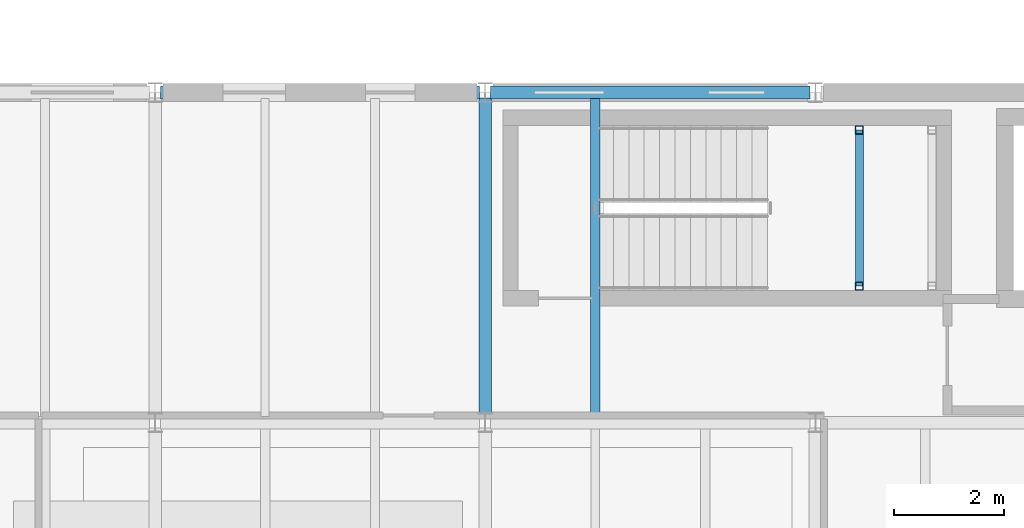
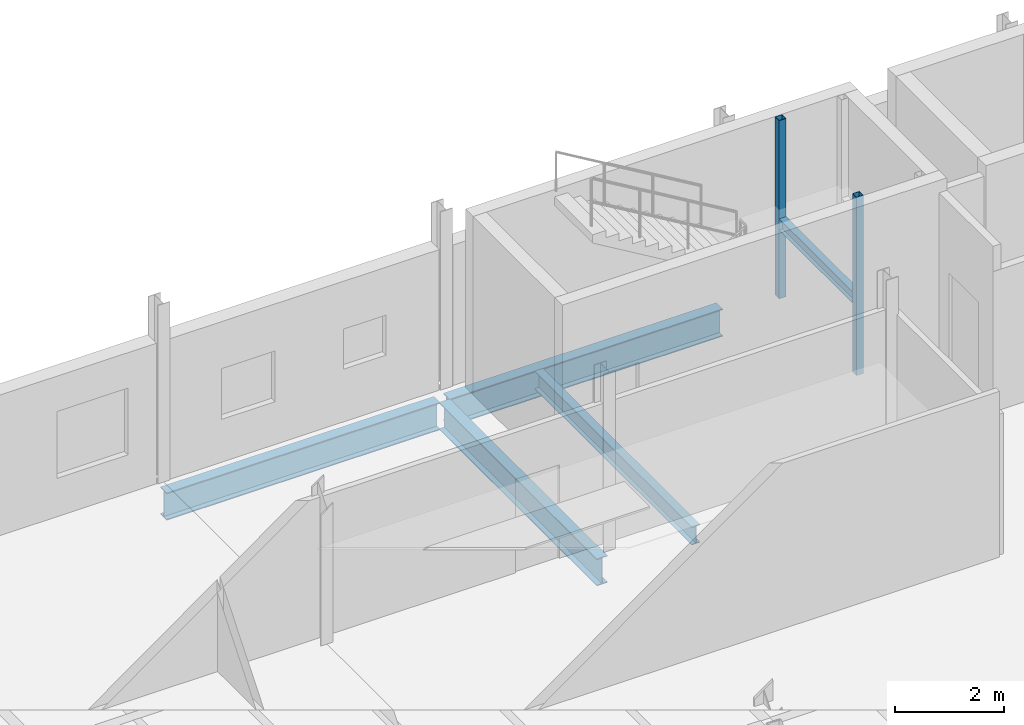
# One storey, part 28 of 92: 5 beams, 2 members.
"""IFC4 building model written with IfcOpenShell, lengths in metres."""

from ifc_helpers import new_model, si_unit, direction, frame, origin, origin_2d, place, context, subcontext, project, spatial, hollow_rectangle, i_section, extrude, material, material_profile, profile_set, type_object, element, save


model = new_model("IFC4")

# Units and contexts
model_context = context("Model", 3, precision=1e-05, world=origin(), true_north=direction((0.0, 1.0)))
body_context = subcontext(model_context, "Body", "Model", "MODEL_VIEW")
ifc_project = project(units=[si_unit("LENGTHUNIT", "METRE"), si_unit("AREAUNIT", "SQUARE_METRE"), si_unit("VOLUMEUNIT", "CUBIC_METRE"), si_unit("PLANEANGLEUNIT", "RADIAN"), si_unit("MASSUNIT", "GRAM", prefix="KILO")], contexts=[model_context])

# Site, building, storey
site_placement = place(None, origin())
site = spatial("IfcSite", under=ifc_project, at=site_placement, CompositionType="ELEMENT")
building_placement = place(site_placement, origin())
building = spatial("IfcBuilding", under=site, at=building_placement, Name="Siltcreek Boulevard Central Fire Station", CompositionType="ELEMENT")
storey_placement = place(building_placement, frame((0.0, 0.0, 6.0)))
storey = spatial("IfcBuildingStorey", under=building, at=storey_placement, Name="L02", CompositionType="ELEMENT", Elevation=6.0)

# Beams
ifc_material_1 = material(Name="Structural steel ASTM A992 Gr50", Category="steel")
ifc_material_profile_1 = material_profile(ifc_material_1, i_section(OverallWidth=0.22802734375, OverallDepth=0.60791015625, WebThickness=0.01123046875, FlangeThickness=0.017333984375, at=origin_2d()), Name="W610X113")
ifc_profile_set_1 = profile_set([ifc_material_profile_1], Name="Structural steel ASTM A992 Gr50")
beam_type_1 = type_object("IfcBeamType", Name="BM_W610X113", PredefinedType="BEAM", material=ifc_profile_set_1)
beam_1_placement = place(storey_placement, frame((90.0, 48.10009765625, -0.6240234375), z_axis=(0.0, 1.0, 0.0), x_axis=(-1.0, 0.0, 0.0)))
element("IfcBeam", 1, at=beam_1_placement, inside=storey, type_object=beam_type_1, Name="L02 primary steel girder GY-0099", PredefinedType="BEAM", context=body_context, shape_type="SweptSolid", body=[
    extrude(i_section(OverallWidth=0.22802734375, OverallDepth=0.60791015625, WebThickness=0.01123046875, FlangeThickness=0.017333984375, at=origin_2d()), origin(), (0.0, 0.0, 1.0), 5.7998046875),
])
ifc_material_profile_2 = material_profile(ifc_material_1, i_section(OverallWidth=0.22998046875, OverallDepth=0.616943359375, WebThickness=0.01318359375, FlangeThickness=0.022216796875, at=origin_2d()), Name="W610X140")
ifc_profile_set_2 = profile_set([ifc_material_profile_2], Name="Structural steel ASTM A992 Gr50")
beam_type_2 = type_object("IfcBeamType", Name="BM_W610X140", PredefinedType="BEAM", material=ifc_profile_set_2)
for number, where, z_axis, x_axis, name in (
    (2, (84.10009765625, 54.0, -0.62841796875), (1.0, 0.0, 0.0), (0.0, 1.0, 0.0), "L02 primary steel girder GX-0089"),
    (3, (90.10009765625, 54.0, -0.62841796875), (1.0, 0.0, 0.0), (0.0, 1.0, 0.0), "L02 primary steel girder GX-0090"),
):
    element("IfcBeam", number, at=place(storey_placement, frame(where, z_axis=z_axis, x_axis=x_axis)), inside=storey, type_object=beam_type_2, Name=name, PredefinedType="BEAM", context=body_context, shape_type="SweptSolid", body=[
        extrude(i_section(OverallWidth=0.22998046875, OverallDepth=0.616943359375, WebThickness=0.01318359375, FlangeThickness=0.022216796875, at=origin_2d()), origin(), (0.0, 0.0, 1.0), 5.7998046875),
    ])

# Members
ifc_material_2 = material(Name="Structural steel ASTM A500 GrC", Category="steel")
ifc_material_profile_3 = material_profile(ifc_material_2, hollow_rectangle(XDim=0.14990234375, YDim=0.14990234375, WallThickness=0.008056640625, at=origin_2d()), Name="HSS150X150X8.0")
ifc_profile_set_3 = profile_set([ifc_material_profile_3], Name="Structural steel ASTM A500 GrC")
member_type = type_object("IfcMemberType", Name="BR_HSS150_8", PredefinedType="BRACE", material=ifc_profile_set_3)
for number, where, z_axis, x_axis, name in (
    (4, (96.800048828125, 50.47998046875, 0.0), (0.0, 0.0, 1.0), (1.0, 0.0, 0.0), "L02 ST-V2A stair landing corner post SW"),
    (5, (96.800048828125, 53.320068359375, 0.0), (0.0, 0.0, 1.0), (1.0, 0.0, 0.0), "L02 ST-V2A stair landing corner post NW"),
):
    element("IfcMember", number, at=place(storey_placement, frame(where, z_axis=z_axis, x_axis=x_axis)), inside=storey, type_object=member_type, Name=name, PredefinedType="BRACE", context=body_context, shape_type="SweptSolid", body=[
        extrude(hollow_rectangle(XDim=0.14990234375, YDim=0.14990234375, WallThickness=0.008056640625, at=origin_2d()), origin(), (0.0, 0.0, 1.0), 4.0),
    ])

# Beams
ifc_material_profile_4 = material_profile(ifc_material_1, i_section(OverallWidth=0.14697265625, OverallDepth=0.261962890625, WebThickness=0.006591796875, FlangeThickness=0.01123046875, at=origin_2d()), Name="W250X39")
ifc_profile_set_4 = profile_set([ifc_material_profile_4], Name="Structural steel ASTM A992 Gr50")
beam_type_3 = type_object("IfcBeamType", Name="JST_W250X39", PredefinedType="JOIST", material=ifc_profile_set_4)
beam_2_placement = place(storey_placement, frame((96.800048828125, 50.47998046875, 1.6689453125), z_axis=(0.0, 1.0, 0.0), x_axis=(-1.0, 0.0, 0.0)))
element("IfcBeam", 6, at=beam_2_placement, inside=storey, type_object=beam_type_3, Name="L02 ST-V2A stair landing bearer MIDW", PredefinedType="JOIST", context=body_context, shape_type="SweptSolid", body=[
    extrude(i_section(OverallWidth=0.14697265625, OverallDepth=0.261962890625, WebThickness=0.006591796875, FlangeThickness=0.01123046875, at=origin_2d()), origin(), (0.0, 0.0, 1.0), 2.840087890625),
])
ifc_material_profile_5 = material_profile(ifc_material_1, i_section(OverallWidth=0.177001953125, OverallDepth=0.403076171875, WebThickness=0.007568359375, FlangeThickness=0.010986328125, at=origin_2d()), Name="W410X53")
ifc_profile_set_5 = profile_set([ifc_material_profile_5], Name="Structural steel ASTM A992 Gr50")
beam_type_4 = type_object("IfcBeamType", Name="JST_W410X53", PredefinedType="JOIST", material=ifc_profile_set_5)
beam_3_placement = place(storey_placement, frame((92.0, 48.113037109375, -0.521484375), z_axis=(0.0, 1.0, 0.0), x_axis=(-1.0, 0.0, 0.0)))
element("IfcBeam", 7, at=beam_3_placement, inside=storey, type_object=beam_type_4, Name="L02 secondary steel floor joist 0103", PredefinedType="JOIST", context=body_context, shape_type="SweptSolid", body=[
    extrude(i_section(OverallWidth=0.177001953125, OverallDepth=0.403076171875, WebThickness=0.007568359375, FlangeThickness=0.010986328125, at=origin_2d()), origin(), (0.0, 0.0, 1.0), 5.77392578125),
])

save(model, "model.ifc")
